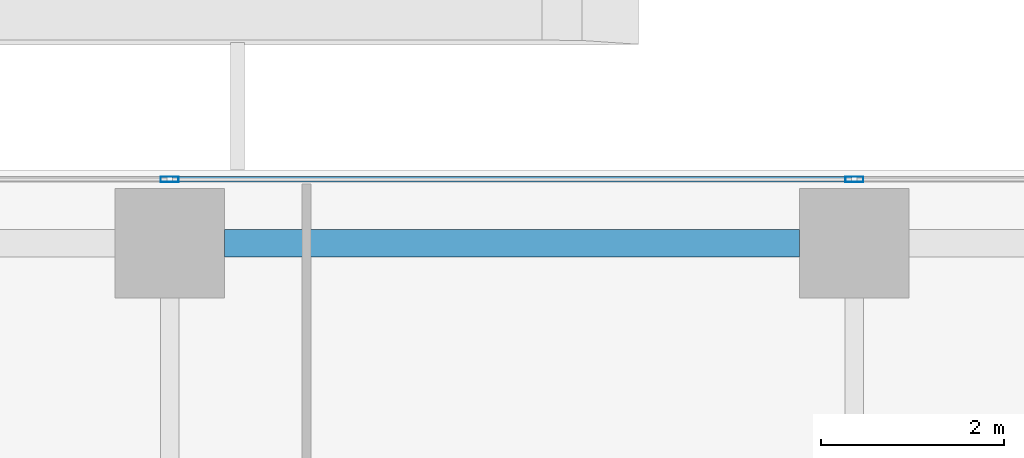
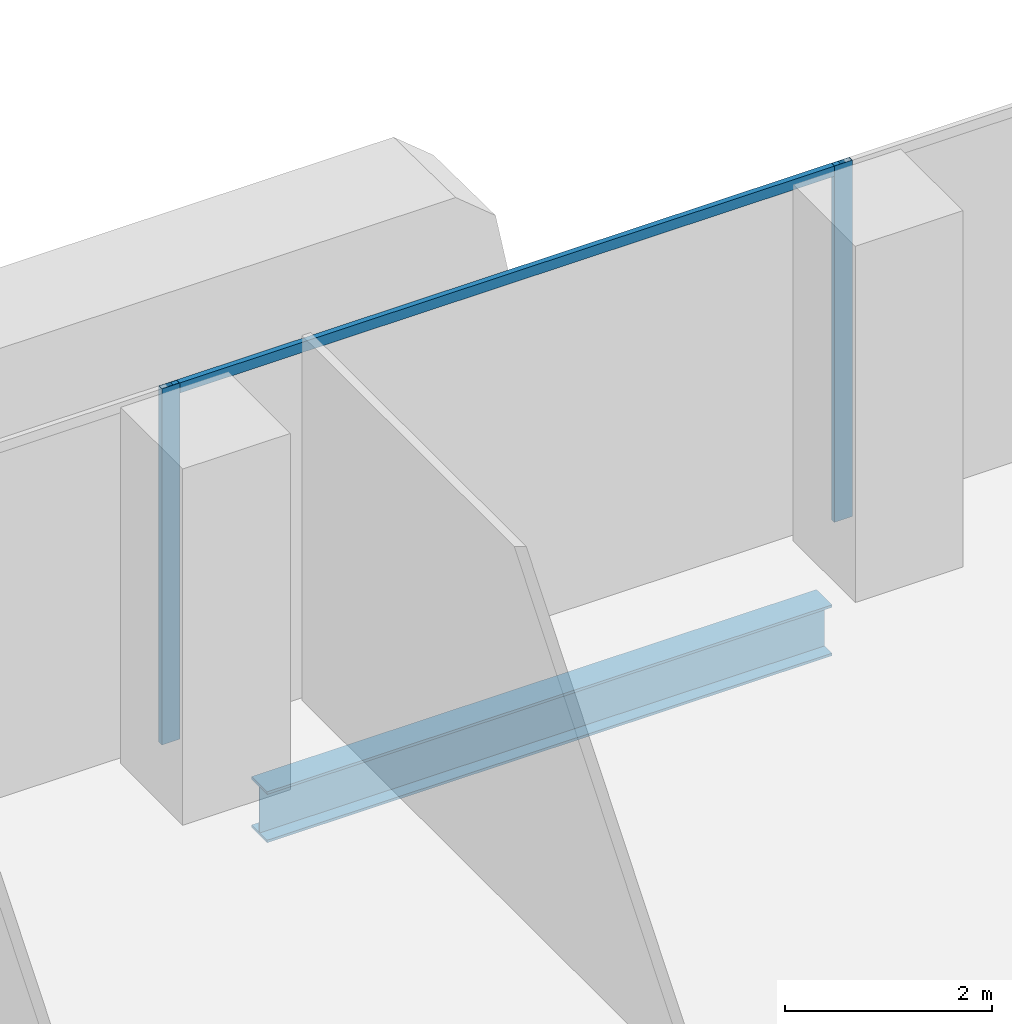
# One storey, part 19 of 35: 3 members, 1 beam, 1 element without a shape of its own.
"""IFC4 building model written with IfcOpenShell, lengths in metres."""

from ifc_helpers import new_model, si_unit, direction, frame, origin, origin_2d, place, context, subcontext, project, spatial, hollow_rectangle, i_section, extrude, source, transform, mapped, material, material_profile, profile_set, type_object, element, aggregate, save


model = new_model("IFC4")

# Units and contexts
model_context = context("Model", 3, precision=1e-05, world=origin(), true_north=direction((0.0, 1.0)))
body_context = subcontext(model_context, "Body", "Model", "MODEL_VIEW")
ifc_project = project(units=[si_unit("LENGTHUNIT", "METRE"), si_unit("AREAUNIT", "SQUARE_METRE"), si_unit("VOLUMEUNIT", "CUBIC_METRE"), si_unit("PLANEANGLEUNIT", "RADIAN"), si_unit("MASSUNIT", "GRAM", prefix="KILO")], contexts=[model_context])

# Site, building, storey
site_placement = place(None, origin())
site = spatial("IfcSite", under=ifc_project, at=site_placement, CompositionType="ELEMENT")
building_placement = place(site_placement, origin())
building = spatial("IfcBuilding", under=site, at=building_placement, Name="Khomas Fold Tower", CompositionType="ELEMENT")
storey_placement = place(building_placement, frame((0.0, 0.0, 69.0)))
storey = spatial("IfcBuildingStorey", under=building, at=storey_placement, Name="L14", CompositionType="ELEMENT", Elevation=69.0)

# Beam
ifc_material_1 = material(Name="Steel S355", Category="steel")
ifc_material_profile_1 = material_profile(ifc_material_1, i_section(OverallWidth=0.300048828125, OverallDepth=0.60009765625, WebThickness=0.015380859375, FlangeThickness=0.030029296875, at=origin_2d()), Name="HE 600 B")
ifc_profile_set_1 = profile_set([ifc_material_profile_1], Name="Steel S355")
beam_type = type_object("IfcBeamType", Name="HE 600 B spandrel SB1", PredefinedType="SPANDREL", material=ifc_profile_set_1)
shared_shape_1 = source(origin(), body_context, "Body", "SweptSolid", [
    extrude(i_section(OverallWidth=0.300048828125, OverallDepth=0.60009765625, WebThickness=0.015380859375, FlangeThickness=0.030029296875, at=origin_2d()), origin(), (0.0, 0.0, 1.0), 6.2998046875),
])
beam_placement = place(storey_placement, frame((35.10009765625, 53.199951171875, -0.60009765625), z_axis=(1.0, 0.0, 0.0), x_axis=(0.0, 1.0, 0.0)))
element("IfcBeam", 1, at=beam_placement, inside=storey, type_object=beam_type, Name="SB1", PredefinedType="SPANDREL", context=body_context, shape_type="MappedRepresentation", body=[
    mapped(shared_shape_1, transform((0.0, 0.0, 0.0))),
])

# Curtain wall, members
ifc_material_2 = material(Name="Aluminium framed double glazing", Category="aluminium")
curtain_wall_type = type_object("IfcCurtainWallType", Name="SK-Unitised clear-glass wall, growing floors CW1", PredefinedType="NOTDEFINED", material=ifc_material_2)
curtain_wall_placement = place(storey_placement, origin())
curtain_wall = element("IfcCurtainWall", 2, at=curtain_wall_placement, inside=storey, type_object=curtain_wall_type, Name="CW1 run L14 06-0", PredefinedType="NOTDEFINED")
ifc_material_3 = material(Name="Aluminium", Category="aluminium")
ifc_material_profile_2 = material_profile(ifc_material_3, hollow_rectangle(XDim=0.06005859375, YDim=0.1201171875, WallThickness=0.00390625, at=origin_2d()), Name="SK-Unitised clear-glass wall, growing floors transom CW1-T")
ifc_profile_set_2 = profile_set([ifc_material_profile_2], Name="Aluminium")
member_type_1 = type_object("IfcMemberType", Name="SK-Unitised clear-glass wall, growing floors transom CW1-T", PredefinedType="USERDEFINED", material=ifc_profile_set_2)
shared_shape_2 = source(origin(), body_context, "Body", "SweptSolid", [
    extrude(hollow_rectangle(XDim=0.06005859375, YDim=0.1201171875, WallThickness=0.00390625, at=origin_2d()), origin(), (0.0, 0.0, 1.0), 7.43994140625),
])
member_1_placement = place(storey_placement, frame((41.969970703125, 53.89990234375, 4.139892578125), z_axis=(-1.0, 0.0, 0.0), x_axis=(0.0, -1.0, 0.0)))
member_1 = element("IfcMember", 3, at=member_1_placement, type_object=member_type_1, Name="CW1 transom 3", ObjectType="TRANSOM", PredefinedType="USERDEFINED", context=body_context, shape_type="MappedRepresentation", body=[
    mapped(shared_shape_2, transform((0.0, 0.0, 0.0))),
])
ifc_material_4 = material(Name="Aluminium", Category="aluminium")
ifc_material_profile_3 = material_profile(ifc_material_4, hollow_rectangle(XDim=0.06005859375, YDim=0.199951171875, WallThickness=0.00390625, at=origin_2d()), Name="SK-Unitised clear-glass wall, growing floors mullion CW1-M")
ifc_profile_set_3 = profile_set([ifc_material_profile_3], Name="Aluminium")
member_type_2 = type_object("IfcMemberType", Name="SK-Unitised clear-glass wall, growing floors mullion CW1-M", PredefinedType="MULLION", material=ifc_profile_set_3)
shared_shape_3 = source(origin(), body_context, "Body", "SweptSolid", [
    extrude(hollow_rectangle(XDim=0.06005859375, YDim=0.199951171875, WallThickness=0.00390625, at=origin_2d()), origin(), (0.0, 0.0, 1.0), 4.199951171875),
])
member_2_placement = place(storey_placement, frame((42.0, 53.89990234375, 0.0), z_axis=(0.0, 0.0, 1.0), x_axis=(0.0, -1.0, 0.0)))
member_2 = element("IfcMember", 4, at=member_2_placement, type_object=member_type_2, Name="CW1 mullion 3", PredefinedType="MULLION", context=body_context, shape_type="MappedRepresentation", body=[
    mapped(shared_shape_3, transform((0.0, 0.0, 0.0))),
])
member_3_placement = place(storey_placement, frame((34.5, 53.89990234375, 0.0), z_axis=(0.0, 0.0, 1.0), x_axis=(0.0, -1.0, 0.0)))
member_3 = element("IfcMember", 5, at=member_3_placement, type_object=member_type_2, Name="CW1 mullion 4", PredefinedType="MULLION", context=body_context, shape_type="MappedRepresentation", body=[
    mapped(shared_shape_3, transform((0.0, 0.0, 0.0))),
])
aggregate(curtain_wall, [member_2, member_3, member_1])

save(model, "model.ifc")
